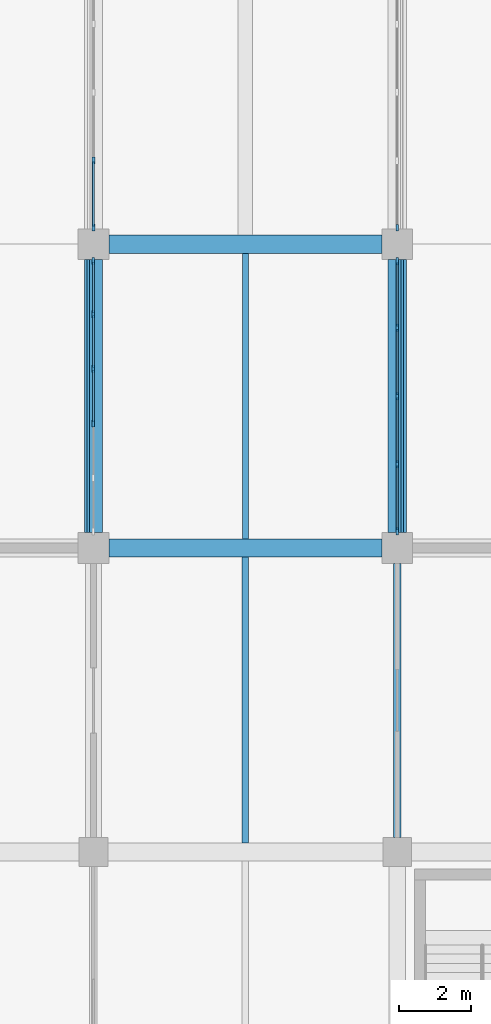
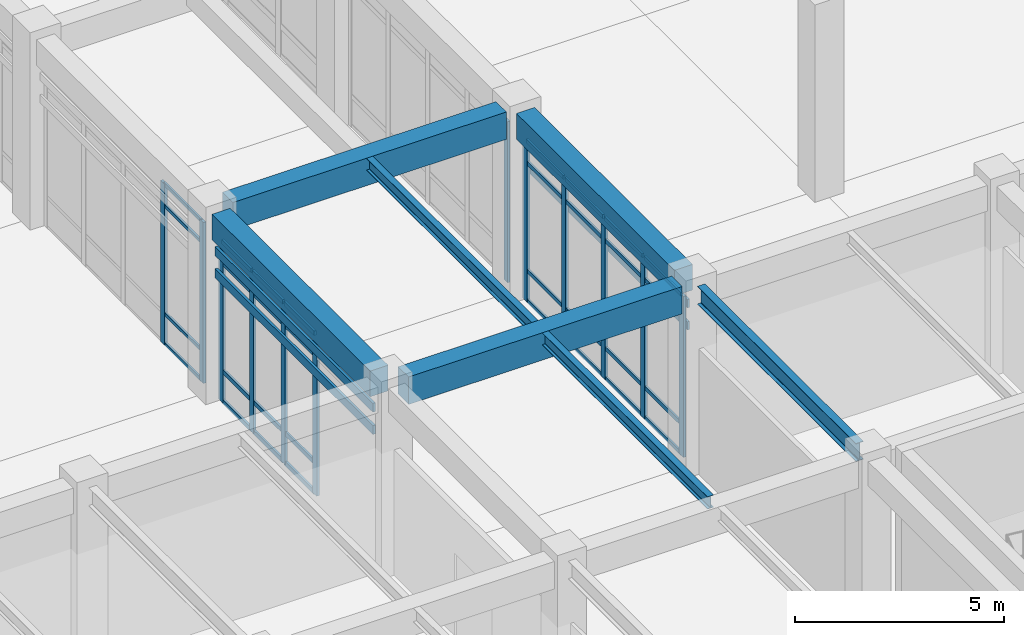
# One storey, part 16 of 91: 48 members, 7 beams, 4 elements without a shape of their own.
"""IFC4 building model written with IfcOpenShell, lengths in metres."""

from ifc_helpers import new_model, si_unit, direction, frame, origin, origin_2d, place, context, subcontext, project, spatial, rectangle, i_section, extrude, material, layer, layer_set, material_profile, profile_set, type_object, element, aggregate, save


model = new_model("IFC4")

# Units and contexts
model_context = context("Model", 3, precision=1e-05, world=origin(), true_north=direction((0.0, 1.0)))
body_context = subcontext(model_context, "Body", "Model", "MODEL_VIEW")
ifc_project = project(units=[si_unit("LENGTHUNIT", "METRE"), si_unit("AREAUNIT", "SQUARE_METRE"), si_unit("VOLUMEUNIT", "CUBIC_METRE"), si_unit("PLANEANGLEUNIT", "RADIAN"), si_unit("MASSUNIT", "GRAM", prefix="KILO")], contexts=[model_context])

# Site, building, storey
site_placement = place(None, origin())
site = spatial("IfcSite", under=ifc_project, at=site_placement, CompositionType="ELEMENT")
building_placement = place(site_placement, origin())
building = spatial("IfcBuilding", under=site, at=building_placement, Name="Porcellanite Civic Hall", CompositionType="ELEMENT")
storey_placement = place(building_placement, origin())
storey = spatial("IfcBuildingStorey", under=building, at=storey_placement, Name="L00", CompositionType="ELEMENT", Elevation=0.0)

# Beams
ifc_material_1 = material(Name="Concrete N50 (50 MPa)", Category="concrete")
ifc_material_profile_1 = material_profile(ifc_material_1, rectangle(XDim=0.5, YDim=0.75, at=origin_2d()), Name="RC-500x750")
ifc_profile_set_1 = profile_set([ifc_material_profile_1], Name="Concrete N50 (50 MPa)")
beam_type_1 = type_object("IfcBeamType", Name="BM-RC750", PredefinedType="SPANDREL", material=ifc_profile_set_1)
for number, where, z_axis, x_axis, name in (
    (1, (50.39990234375, 67.62451171875, 5.125), (0.0, 1.0, 0.0), (-1.0, 0.0, 0.0), "Beam Y L00 7-9"),
    (2, (58.800048828125, 67.62451171875, 5.125), (0.0, 1.0, 0.0), (-1.0, 0.0, 0.0), "Beam Y L00 8-9"),
):
    element("IfcBeam", number, at=place(storey_placement, frame(where, z_axis=z_axis, x_axis=x_axis)), inside=storey, type_object=beam_type_1, Name=name, PredefinedType="SPANDREL", context=body_context, shape_type="SweptSolid", body=[
        extrude(rectangle(XDim=0.5, YDim=0.75, at=origin_2d()), origin(), (0.0, 0.0, 1.0), 7.551025390625),
    ])
ifc_material_2 = material(Name="Concrete N50 (50 MPa)", Category="concrete")
ifc_material_profile_2 = material_profile(ifc_material_2, rectangle(XDim=0.5, YDim=0.800048828125, at=origin_2d()), Name="RC-500x800")
ifc_profile_set_2 = profile_set([ifc_material_profile_2], Name="Concrete N50 (50 MPa)")
beam_type_2 = type_object("IfcBeamType", Name="BM-RC800", PredefinedType="BEAM", material=ifc_profile_set_2)
for number, where, z_axis, x_axis, name in (
    (3, (50.824462890625, 67.199951171875, 5.10009765625), (1.0, 0.0, 0.0), (0.0, 1.0, 0.0), "Beam X L00 7-9"),
    (4, (50.824462890625, 75.60009765625, 5.10009765625), (1.0, 0.0, 0.0), (0.0, 1.0, 0.0), "Beam X L00 7-10"),
):
    element("IfcBeam", number, at=place(storey_placement, frame(where, z_axis=z_axis, x_axis=x_axis)), inside=storey, type_object=beam_type_2, Name=name, PredefinedType="BEAM", context=body_context, shape_type="SweptSolid", body=[
        extrude(rectangle(XDim=0.5, YDim=0.800048828125, at=origin_2d()), origin(), (0.0, 0.0, 1.0), 7.551025390625),
    ])

# Curtain wall, members
ifc_material_3 = material(Name="Anodised aluminium and solar laminated glass", Category="aluminium")
ifc_layer_1 = layer(ifc_material_3, 0.179931640625)
ifc_layer_set_1 = layer_set([ifc_layer_1], Name="Anodised aluminium and solar laminated glass")
curtain_wall_type_1 = type_object("IfcCurtainWallType", Name="CW-SYS03", PredefinedType="NOTDEFINED", material=ifc_layer_set_1)
curtain_wall_1_placement = place(storey_placement, origin())
curtain_wall_1 = element("IfcCurtainWall", 5, at=curtain_wall_1_placement, inside=storey, type_object=curtain_wall_type_1, Name="Curtain wall CW-018", PredefinedType="NOTDEFINED")
ifc_material_4 = material(Name="Anodised aluminium 6063-T6", Category="aluminium")
ifc_material_profile_3 = material_profile(ifc_material_4, rectangle(XDim=0.080078125, YDim=0.2099609375, at=origin_2d()), Name="AL-80x210")
ifc_profile_set_3 = profile_set([ifc_material_profile_3], Name="Anodised aluminium 6063-T6")
member_type_1 = type_object("IfcMemberType", Name="CWM-02", PredefinedType="MULLION", material=ifc_profile_set_3)
member_1_placement = place(storey_placement, frame((58.800048828125, 75.134033203125, 0.0), z_axis=(0.0, 0.0, 1.0), x_axis=(1.0, 0.0, 0.0)))
member_1 = element("IfcMember", 6, at=member_1_placement, type_object=member_type_1, Name="CW-018 mullion 1", PredefinedType="MULLION", context=body_context, shape_type="SweptSolid", body=[
    extrude(rectangle(XDim=0.080078125, YDim=0.2099609375, at=origin_2d()), origin(), (0.0, 0.0, 1.0), 4.699951171875),
])
member_2_placement = place(storey_placement, frame((58.800048828125, 73.287109375, 0.0), z_axis=(0.0, 0.0, 1.0), x_axis=(1.0, 0.0, 0.0)))
member_2 = element("IfcMember", 7, at=member_2_placement, type_object=member_type_1, Name="CW-018 mullion 2", PredefinedType="MULLION", context=body_context, shape_type="SweptSolid", body=[
    extrude(rectangle(XDim=0.080078125, YDim=0.2099609375, at=origin_2d()), origin(), (0.0, 0.0, 1.0), 4.699951171875),
])
member_3_placement = place(storey_placement, frame((58.800048828125, 71.39990234375, 0.0), z_axis=(0.0, 0.0, 1.0), x_axis=(1.0, 0.0, 0.0)))
member_3 = element("IfcMember", 8, at=member_3_placement, type_object=member_type_1, Name="CW-018 mullion 3", PredefinedType="MULLION", context=body_context, shape_type="SweptSolid", body=[
    extrude(rectangle(XDim=0.080078125, YDim=0.2099609375, at=origin_2d()), origin(), (0.0, 0.0, 1.0), 4.699951171875),
])
member_4_placement = place(storey_placement, frame((58.800048828125, 69.512939453125, 0.0), z_axis=(0.0, 0.0, 1.0), x_axis=(1.0, 0.0, 0.0)))
member_4 = element("IfcMember", 9, at=member_4_placement, type_object=member_type_1, Name="CW-018 mullion 4", PredefinedType="MULLION", context=body_context, shape_type="SweptSolid", body=[
    extrude(rectangle(XDim=0.080078125, YDim=0.2099609375, at=origin_2d()), origin(), (0.0, 0.0, 1.0), 4.699951171875),
])
member_5_placement = place(storey_placement, frame((58.800048828125, 67.666015625, 0.0), z_axis=(0.0, 0.0, 1.0), x_axis=(1.0, 0.0, 0.0)))
member_5 = element("IfcMember", 10, at=member_5_placement, type_object=member_type_1, Name="CW-018 mullion 5", PredefinedType="MULLION", context=body_context, shape_type="SweptSolid", body=[
    extrude(rectangle(XDim=0.080078125, YDim=0.2099609375, at=origin_2d()), origin(), (0.0, 0.0, 1.0), 4.699951171875),
])

ifc_material_5 = material(Name="Anodised aluminium and solar laminated glass", Category="aluminium")
ifc_layer_2 = layer(ifc_material_5, 0.179931640625)
ifc_layer_set_2 = layer_set([ifc_layer_2], Name="Anodised aluminium and solar laminated glass")
curtain_wall_type_2 = type_object("IfcCurtainWallType", Name="CW-SYS04", PredefinedType="NOTDEFINED", material=ifc_layer_set_2)
curtain_wall_2_placement = place(storey_placement, origin())
curtain_wall_2 = element("IfcCurtainWall", 11, at=curtain_wall_2_placement, inside=storey, type_object=curtain_wall_type_2, Name="Curtain wall CW-019", PredefinedType="NOTDEFINED")
ifc_material_6 = material(Name="Anodised aluminium 6063-T6", Category="aluminium")
ifc_material_profile_4 = material_profile(ifc_material_6, rectangle(XDim=0.074951171875, YDim=0.18994140625, at=origin_2d()), Name="AL-75x190")
ifc_profile_set_4 = profile_set([ifc_material_profile_4], Name="Anodised aluminium 6063-T6")
member_type_2 = type_object("IfcMemberType", Name="CWM-04", PredefinedType="MULLION", material=ifc_profile_set_4)
member_6_placement = place(storey_placement, frame((50.39990234375, 76.0634765625, 0.0), z_axis=(0.0, 0.0, 1.0), x_axis=(-1.0, 0.0, 0.0)))
member_6 = element("IfcMember", 12, at=member_6_placement, type_object=member_type_2, Name="CW-019 mullion 1", PredefinedType="MULLION", context=body_context, shape_type="SweptSolid", body=[
    extrude(rectangle(XDim=0.074951171875, YDim=0.18994140625, at=origin_2d()), origin(), (0.0, 0.0, 1.0), 4.699951171875),
])
member_7_placement = place(storey_placement, frame((50.39990234375, 77.9130859375, 0.0), z_axis=(0.0, 0.0, 1.0), x_axis=(-1.0, 0.0, 0.0)))
member_7 = element("IfcMember", 13, at=member_7_placement, type_object=member_type_2, Name="CW-019 mullion 2", PredefinedType="MULLION", context=body_context, shape_type="SweptSolid", body=[
    extrude(rectangle(XDim=0.074951171875, YDim=0.18994140625, at=origin_2d()), origin(), (0.0, 0.0, 1.0), 4.699951171875),
])

ifc_material_7 = material(Name="Anodised aluminium and solar laminated glass", Category="aluminium")
ifc_layer_3 = layer(ifc_material_7, 0.179931640625)
ifc_layer_set_3 = layer_set([ifc_layer_3], Name="Anodised aluminium and solar laminated glass")
curtain_wall_type_3 = type_object("IfcCurtainWallType", Name="CW-SYS01", PredefinedType="NOTDEFINED", material=ifc_layer_set_3)
curtain_wall_3_placement = place(storey_placement, origin())
curtain_wall_3 = element("IfcCurtainWall", 14, at=curtain_wall_3_placement, inside=storey, type_object=curtain_wall_type_3, Name="Curtain wall CW-017", PredefinedType="NOTDEFINED")
ifc_material_8 = material(Name="Anodised aluminium 6063-T6", Category="aluminium")
ifc_material_profile_5 = material_profile(ifc_material_8, rectangle(XDim=0.070068359375, YDim=0.199951171875, at=origin_2d()), Name="AL-70x200")
ifc_profile_set_5 = profile_set([ifc_material_profile_5], Name="Anodised aluminium 6063-T6")
member_type_3 = type_object("IfcMemberType", Name="CWM-05", PredefinedType="MULLION", material=ifc_profile_set_5)
member_8_placement = place(storey_placement, frame((50.39990234375, 70.645263671875, 0.0), z_axis=(0.0, 0.0, 1.0), x_axis=(-1.0, 0.0, 0.0)))
member_8 = element("IfcMember", 15, at=member_8_placement, type_object=member_type_3, Name="CW-017 mullion 3", PredefinedType="MULLION", context=body_context, shape_type="SweptSolid", body=[
    extrude(rectangle(XDim=0.070068359375, YDim=0.199951171875, at=origin_2d()), origin(), (0.0, 0.0, 1.0), 4.699951171875),
])
member_9_placement = place(storey_placement, frame((50.39990234375, 72.15478515625, 0.0), z_axis=(0.0, 0.0, 1.0), x_axis=(-1.0, 0.0, 0.0)))
member_9 = element("IfcMember", 16, at=member_9_placement, type_object=member_type_3, Name="CW-017 mullion 4", PredefinedType="MULLION", context=body_context, shape_type="SweptSolid", body=[
    extrude(rectangle(XDim=0.070068359375, YDim=0.199951171875, at=origin_2d()), origin(), (0.0, 0.0, 1.0), 4.699951171875),
])
member_10_placement = place(storey_placement, frame((50.39990234375, 73.664306640625, 0.0), z_axis=(0.0, 0.0, 1.0), x_axis=(-1.0, 0.0, 0.0)))
member_10 = element("IfcMember", 17, at=member_10_placement, type_object=member_type_3, Name="CW-017 mullion 5", PredefinedType="MULLION", context=body_context, shape_type="SweptSolid", body=[
    extrude(rectangle(XDim=0.070068359375, YDim=0.199951171875, at=origin_2d()), origin(), (0.0, 0.0, 1.0), 4.699951171875),
])
member_11_placement = place(storey_placement, frame((50.39990234375, 75.138916015625, 0.0), z_axis=(0.0, 0.0, 1.0), x_axis=(-1.0, 0.0, 0.0)))
member_11 = element("IfcMember", 18, at=member_11_placement, type_object=member_type_3, Name="CW-017 mullion 6", PredefinedType="MULLION", context=body_context, shape_type="SweptSolid", body=[
    extrude(rectangle(XDim=0.070068359375, YDim=0.199951171875, at=origin_2d()), origin(), (0.0, 0.0, 1.0), 4.699951171875),
])

# Curtain wall, member
ifc_material_9 = material(Name="Anodised aluminium and solar laminated glass", Category="aluminium")
ifc_layer_4 = layer(ifc_material_9, 0.179931640625)
ifc_layer_set_4 = layer_set([ifc_layer_4], Name="Anodised aluminium and solar laminated glass")
curtain_wall_type_4 = type_object("IfcCurtainWallType", Name="CW-SYS06", PredefinedType="NOTDEFINED", material=ifc_layer_set_4)
curtain_wall_4_placement = place(storey_placement, origin())
curtain_wall_4 = element("IfcCurtainWall", 19, at=curtain_wall_4_placement, inside=storey, type_object=curtain_wall_type_4, Name="Curtain wall CW-020", PredefinedType="NOTDEFINED")
ifc_material_10 = material(Name="Anodised aluminium 6063-T6", Category="aluminium")
ifc_material_profile_6 = material_profile(ifc_material_10, rectangle(XDim=0.06494140625, YDim=0.179931640625, at=origin_2d()), Name="AL-65x180")
ifc_profile_set_6 = profile_set([ifc_material_profile_6], Name="Anodised aluminium 6063-T6")
member_type_4 = type_object("IfcMemberType", Name="CWM-06", PredefinedType="MULLION", material=ifc_profile_set_6)
member_12_placement = place(storey_placement, frame((58.800048828125, 76.05859375, 0.0), z_axis=(0.0, 0.0, 1.0), x_axis=(1.0, 0.0, 0.0)))
member_12 = element("IfcMember", 20, at=member_12_placement, type_object=member_type_4, Name="CW-020 mullion 5", PredefinedType="MULLION", context=body_context, shape_type="SweptSolid", body=[
    extrude(rectangle(XDim=0.06494140625, YDim=0.179931640625, at=origin_2d()), origin(), (0.0, 0.0, 1.0), 4.699951171875),
])
aggregate(curtain_wall_4, [member_12])

# Member
ifc_material_11 = material(Name="Anodised aluminium 6063-T6", Category="aluminium")
ifc_material_profile_7 = material_profile(ifc_material_11, rectangle(XDim=0.06005859375, YDim=0.1298828125, at=origin_2d()), Name="AL-60x130")
ifc_profile_set_7 = profile_set([ifc_material_profile_7], Name="Anodised aluminium 6063-T6")
member_type_5 = type_object("IfcMemberType", Name="CWT-03", PredefinedType="USERDEFINED", material=ifc_profile_set_7)
member_13_placement = place(storey_placement, frame((50.39990234375, 70.68017578125, 0.030029296875), z_axis=(0.0, 1.0, 0.0), x_axis=(-1.0, 0.0, 0.0)))
member_13 = element("IfcMember", 21, at=member_13_placement, type_object=member_type_5, Name="CW-017 transom 3.1", ObjectType="TRANSOM", PredefinedType="USERDEFINED", context=body_context, shape_type="SweptSolid", body=[
    extrude(rectangle(XDim=0.06005859375, YDim=0.1298828125, at=origin_2d()), origin(), (0.0, 0.0, 1.0), 1.439697265625),
])

member_14_placement = place(storey_placement, frame((50.39990234375, 70.68017578125, 0.89990234375), z_axis=(0.0, 1.0, 0.0), x_axis=(-1.0, 0.0, 0.0)))
member_14 = element("IfcMember", 22, at=member_14_placement, type_object=member_type_5, Name="CW-017 transom 3.2", ObjectType="TRANSOM", PredefinedType="USERDEFINED", context=body_context, shape_type="SweptSolid", body=[
    extrude(rectangle(XDim=0.06005859375, YDim=0.1298828125, at=origin_2d()), origin(), (0.0, 0.0, 1.0), 1.439697265625),
])

member_15_placement = place(storey_placement, frame((50.39990234375, 70.68017578125, 4.050048828125), z_axis=(0.0, 1.0, 0.0), x_axis=(-1.0, 0.0, 0.0)))
member_15 = element("IfcMember", 23, at=member_15_placement, type_object=member_type_5, Name="CW-017 transom 3.3", ObjectType="TRANSOM", PredefinedType="USERDEFINED", context=body_context, shape_type="SweptSolid", body=[
    extrude(rectangle(XDim=0.06005859375, YDim=0.1298828125, at=origin_2d()), origin(), (0.0, 0.0, 1.0), 1.439697265625),
])

member_16_placement = place(storey_placement, frame((50.39990234375, 70.68017578125, 4.669921875), z_axis=(0.0, 1.0, 0.0), x_axis=(-1.0, 0.0, 0.0)))
member_16 = element("IfcMember", 24, at=member_16_placement, type_object=member_type_5, Name="CW-017 transom 3.4", ObjectType="TRANSOM", PredefinedType="USERDEFINED", context=body_context, shape_type="SweptSolid", body=[
    extrude(rectangle(XDim=0.06005859375, YDim=0.1298828125, at=origin_2d()), origin(), (0.0, 0.0, 1.0), 1.439697265625),
])

member_17_placement = place(storey_placement, frame((50.39990234375, 72.189697265625, 0.030029296875), z_axis=(0.0, 1.0, 0.0), x_axis=(-1.0, 0.0, 0.0)))
member_17 = element("IfcMember", 25, at=member_17_placement, type_object=member_type_5, Name="CW-017 transom 4.1", ObjectType="TRANSOM", PredefinedType="USERDEFINED", context=body_context, shape_type="SweptSolid", body=[
    extrude(rectangle(XDim=0.06005859375, YDim=0.1298828125, at=origin_2d()), origin(), (0.0, 0.0, 1.0), 1.439697265625),
])

member_18_placement = place(storey_placement, frame((50.39990234375, 72.189697265625, 0.89990234375), z_axis=(0.0, 1.0, 0.0), x_axis=(-1.0, 0.0, 0.0)))
member_18 = element("IfcMember", 26, at=member_18_placement, type_object=member_type_5, Name="CW-017 transom 4.2", ObjectType="TRANSOM", PredefinedType="USERDEFINED", context=body_context, shape_type="SweptSolid", body=[
    extrude(rectangle(XDim=0.06005859375, YDim=0.1298828125, at=origin_2d()), origin(), (0.0, 0.0, 1.0), 1.439697265625),
])

member_19_placement = place(storey_placement, frame((50.39990234375, 72.189697265625, 4.050048828125), z_axis=(0.0, 1.0, 0.0), x_axis=(-1.0, 0.0, 0.0)))
member_19 = element("IfcMember", 27, at=member_19_placement, type_object=member_type_5, Name="CW-017 transom 4.3", ObjectType="TRANSOM", PredefinedType="USERDEFINED", context=body_context, shape_type="SweptSolid", body=[
    extrude(rectangle(XDim=0.06005859375, YDim=0.1298828125, at=origin_2d()), origin(), (0.0, 0.0, 1.0), 1.439697265625),
])

member_20_placement = place(storey_placement, frame((50.39990234375, 72.189697265625, 4.669921875), z_axis=(0.0, 1.0, 0.0), x_axis=(-1.0, 0.0, 0.0)))
member_20 = element("IfcMember", 28, at=member_20_placement, type_object=member_type_5, Name="CW-017 transom 4.4", ObjectType="TRANSOM", PredefinedType="USERDEFINED", context=body_context, shape_type="SweptSolid", body=[
    extrude(rectangle(XDim=0.06005859375, YDim=0.1298828125, at=origin_2d()), origin(), (0.0, 0.0, 1.0), 1.439697265625),
])

member_21_placement = place(storey_placement, frame((50.39990234375, 73.699462890625, 0.030029296875), z_axis=(0.0, 1.0, 0.0), x_axis=(-1.0, 0.0, 0.0)))
member_21 = element("IfcMember", 29, at=member_21_placement, type_object=member_type_5, Name="CW-017 transom 5.1", ObjectType="TRANSOM", PredefinedType="USERDEFINED", context=body_context, shape_type="SweptSolid", body=[
    extrude(rectangle(XDim=0.06005859375, YDim=0.1298828125, at=origin_2d()), origin(), (0.0, 0.0, 1.0), 1.404541015625),
])

member_22_placement = place(storey_placement, frame((50.39990234375, 73.699462890625, 0.89990234375), z_axis=(0.0, 1.0, 0.0), x_axis=(-1.0, 0.0, 0.0)))
member_22 = element("IfcMember", 30, at=member_22_placement, type_object=member_type_5, Name="CW-017 transom 5.2", ObjectType="TRANSOM", PredefinedType="USERDEFINED", context=body_context, shape_type="SweptSolid", body=[
    extrude(rectangle(XDim=0.06005859375, YDim=0.1298828125, at=origin_2d()), origin(), (0.0, 0.0, 1.0), 1.404541015625),
])

member_23_placement = place(storey_placement, frame((50.39990234375, 73.699462890625, 4.050048828125), z_axis=(0.0, 1.0, 0.0), x_axis=(-1.0, 0.0, 0.0)))
member_23 = element("IfcMember", 31, at=member_23_placement, type_object=member_type_5, Name="CW-017 transom 5.3", ObjectType="TRANSOM", PredefinedType="USERDEFINED", context=body_context, shape_type="SweptSolid", body=[
    extrude(rectangle(XDim=0.06005859375, YDim=0.1298828125, at=origin_2d()), origin(), (0.0, 0.0, 1.0), 1.404541015625),
])

member_24_placement = place(storey_placement, frame((50.39990234375, 73.699462890625, 4.669921875), z_axis=(0.0, 1.0, 0.0), x_axis=(-1.0, 0.0, 0.0)))
member_24 = element("IfcMember", 32, at=member_24_placement, type_object=member_type_5, Name="CW-017 transom 5.4", ObjectType="TRANSOM", PredefinedType="USERDEFINED", context=body_context, shape_type="SweptSolid", body=[
    extrude(rectangle(XDim=0.06005859375, YDim=0.1298828125, at=origin_2d()), origin(), (0.0, 0.0, 1.0), 1.404541015625),
])

aggregate(curtain_wall_3, [member_8, member_9, member_10, member_11, member_13, member_14, member_15, member_16, member_17, member_18, member_19, member_20, member_21, member_22, member_23, member_24])

ifc_material_12 = material(Name="Anodised aluminium 6063-T6", Category="aluminium")
ifc_material_profile_8 = material_profile(ifc_material_12, rectangle(XDim=0.054931640625, YDim=0.1201171875, at=origin_2d()), Name="AL-55x120")
ifc_profile_set_8 = profile_set([ifc_material_profile_8], Name="Anodised aluminium 6063-T6")
member_type_6 = type_object("IfcMemberType", Name="CWT-04", PredefinedType="USERDEFINED", material=ifc_profile_set_8)
member_25_placement = place(storey_placement, frame((58.800048828125, 75.093994140625, 0.027587890625), z_axis=(0.0, -1.0, 0.0), x_axis=(1.0, 0.0, 0.0)))
member_25 = element("IfcMember", 33, at=member_25_placement, type_object=member_type_6, Name="CW-018 transom 1.1", ObjectType="TRANSOM", PredefinedType="USERDEFINED", context=body_context, shape_type="SweptSolid", body=[
    extrude(rectangle(XDim=0.054931640625, YDim=0.1201171875, at=origin_2d()), origin(), (0.0, 0.0, 1.0), 1.76708984375),
])

member_26_placement = place(storey_placement, frame((58.800048828125, 75.093994140625, 0.89990234375), z_axis=(0.0, -1.0, 0.0), x_axis=(1.0, 0.0, 0.0)))
member_26 = element("IfcMember", 34, at=member_26_placement, type_object=member_type_6, Name="CW-018 transom 1.2", ObjectType="TRANSOM", PredefinedType="USERDEFINED", context=body_context, shape_type="SweptSolid", body=[
    extrude(rectangle(XDim=0.054931640625, YDim=0.1201171875, at=origin_2d()), origin(), (0.0, 0.0, 1.0), 1.76708984375),
])

member_27_placement = place(storey_placement, frame((58.800048828125, 75.093994140625, 4.050048828125), z_axis=(0.0, -1.0, 0.0), x_axis=(1.0, 0.0, 0.0)))
member_27 = element("IfcMember", 35, at=member_27_placement, type_object=member_type_6, Name="CW-018 transom 1.3", ObjectType="TRANSOM", PredefinedType="USERDEFINED", context=body_context, shape_type="SweptSolid", body=[
    extrude(rectangle(XDim=0.054931640625, YDim=0.1201171875, at=origin_2d()), origin(), (0.0, 0.0, 1.0), 1.76708984375),
])

member_28_placement = place(storey_placement, frame((58.800048828125, 75.093994140625, 4.672607421875), z_axis=(0.0, -1.0, 0.0), x_axis=(1.0, 0.0, 0.0)))
member_28 = element("IfcMember", 36, at=member_28_placement, type_object=member_type_6, Name="CW-018 transom 1.4", ObjectType="TRANSOM", PredefinedType="USERDEFINED", context=body_context, shape_type="SweptSolid", body=[
    extrude(rectangle(XDim=0.054931640625, YDim=0.1201171875, at=origin_2d()), origin(), (0.0, 0.0, 1.0), 1.76708984375),
])

member_29_placement = place(storey_placement, frame((58.800048828125, 73.2470703125, 0.027587890625), z_axis=(0.0, -1.0, 0.0), x_axis=(1.0, 0.0, 0.0)))
member_29 = element("IfcMember", 37, at=member_29_placement, type_object=member_type_6, Name="CW-018 transom 2.1", ObjectType="TRANSOM", PredefinedType="USERDEFINED", context=body_context, shape_type="SweptSolid", body=[
    extrude(rectangle(XDim=0.054931640625, YDim=0.1201171875, at=origin_2d()), origin(), (0.0, 0.0, 1.0), 1.80712890625),
])

member_30_placement = place(storey_placement, frame((58.800048828125, 73.2470703125, 0.89990234375), z_axis=(0.0, -1.0, 0.0), x_axis=(1.0, 0.0, 0.0)))
member_30 = element("IfcMember", 38, at=member_30_placement, type_object=member_type_6, Name="CW-018 transom 2.2", ObjectType="TRANSOM", PredefinedType="USERDEFINED", context=body_context, shape_type="SweptSolid", body=[
    extrude(rectangle(XDim=0.054931640625, YDim=0.1201171875, at=origin_2d()), origin(), (0.0, 0.0, 1.0), 1.80712890625),
])

member_31_placement = place(storey_placement, frame((58.800048828125, 73.2470703125, 4.050048828125), z_axis=(0.0, -1.0, 0.0), x_axis=(1.0, 0.0, 0.0)))
member_31 = element("IfcMember", 39, at=member_31_placement, type_object=member_type_6, Name="CW-018 transom 2.3", ObjectType="TRANSOM", PredefinedType="USERDEFINED", context=body_context, shape_type="SweptSolid", body=[
    extrude(rectangle(XDim=0.054931640625, YDim=0.1201171875, at=origin_2d()), origin(), (0.0, 0.0, 1.0), 1.80712890625),
])

member_32_placement = place(storey_placement, frame((58.800048828125, 73.2470703125, 4.672607421875), z_axis=(0.0, -1.0, 0.0), x_axis=(1.0, 0.0, 0.0)))
member_32 = element("IfcMember", 40, at=member_32_placement, type_object=member_type_6, Name="CW-018 transom 2.4", ObjectType="TRANSOM", PredefinedType="USERDEFINED", context=body_context, shape_type="SweptSolid", body=[
    extrude(rectangle(XDim=0.054931640625, YDim=0.1201171875, at=origin_2d()), origin(), (0.0, 0.0, 1.0), 1.80712890625),
])

member_33_placement = place(storey_placement, frame((58.800048828125, 71.360107421875, 0.027587890625), z_axis=(0.0, -1.0, 0.0), x_axis=(1.0, 0.0, 0.0)))
member_33 = element("IfcMember", 41, at=member_33_placement, type_object=member_type_6, Name="CW-018 transom 3.1", ObjectType="TRANSOM", PredefinedType="USERDEFINED", context=body_context, shape_type="SweptSolid", body=[
    extrude(rectangle(XDim=0.054931640625, YDim=0.1201171875, at=origin_2d()), origin(), (0.0, 0.0, 1.0), 1.80712890625),
])

member_34_placement = place(storey_placement, frame((58.800048828125, 71.360107421875, 0.89990234375), z_axis=(0.0, -1.0, 0.0), x_axis=(1.0, 0.0, 0.0)))
member_34 = element("IfcMember", 42, at=member_34_placement, type_object=member_type_6, Name="CW-018 transom 3.2", ObjectType="TRANSOM", PredefinedType="USERDEFINED", context=body_context, shape_type="SweptSolid", body=[
    extrude(rectangle(XDim=0.054931640625, YDim=0.1201171875, at=origin_2d()), origin(), (0.0, 0.0, 1.0), 1.80712890625),
])

member_35_placement = place(storey_placement, frame((58.800048828125, 71.360107421875, 4.050048828125), z_axis=(0.0, -1.0, 0.0), x_axis=(1.0, 0.0, 0.0)))
member_35 = element("IfcMember", 43, at=member_35_placement, type_object=member_type_6, Name="CW-018 transom 3.3", ObjectType="TRANSOM", PredefinedType="USERDEFINED", context=body_context, shape_type="SweptSolid", body=[
    extrude(rectangle(XDim=0.054931640625, YDim=0.1201171875, at=origin_2d()), origin(), (0.0, 0.0, 1.0), 1.80712890625),
])

member_36_placement = place(storey_placement, frame((58.800048828125, 71.360107421875, 4.672607421875), z_axis=(0.0, -1.0, 0.0), x_axis=(1.0, 0.0, 0.0)))
member_36 = element("IfcMember", 44, at=member_36_placement, type_object=member_type_6, Name="CW-018 transom 3.4", ObjectType="TRANSOM", PredefinedType="USERDEFINED", context=body_context, shape_type="SweptSolid", body=[
    extrude(rectangle(XDim=0.054931640625, YDim=0.1201171875, at=origin_2d()), origin(), (0.0, 0.0, 1.0), 1.80712890625),
])

member_37_placement = place(storey_placement, frame((58.800048828125, 69.472900390625, 0.027587890625), z_axis=(0.0, -1.0, 0.0), x_axis=(1.0, 0.0, 0.0)))
member_37 = element("IfcMember", 45, at=member_37_placement, type_object=member_type_6, Name="CW-018 transom 4.1", ObjectType="TRANSOM", PredefinedType="USERDEFINED", context=body_context, shape_type="SweptSolid", body=[
    extrude(rectangle(XDim=0.054931640625, YDim=0.1201171875, at=origin_2d()), origin(), (0.0, 0.0, 1.0), 1.766845703125),
])

member_38_placement = place(storey_placement, frame((58.800048828125, 69.472900390625, 0.89990234375), z_axis=(0.0, -1.0, 0.0), x_axis=(1.0, 0.0, 0.0)))
member_38 = element("IfcMember", 46, at=member_38_placement, type_object=member_type_6, Name="CW-018 transom 4.2", ObjectType="TRANSOM", PredefinedType="USERDEFINED", context=body_context, shape_type="SweptSolid", body=[
    extrude(rectangle(XDim=0.054931640625, YDim=0.1201171875, at=origin_2d()), origin(), (0.0, 0.0, 1.0), 1.766845703125),
])

member_39_placement = place(storey_placement, frame((58.800048828125, 69.472900390625, 4.050048828125), z_axis=(0.0, -1.0, 0.0), x_axis=(1.0, 0.0, 0.0)))
member_39 = element("IfcMember", 47, at=member_39_placement, type_object=member_type_6, Name="CW-018 transom 4.3", ObjectType="TRANSOM", PredefinedType="USERDEFINED", context=body_context, shape_type="SweptSolid", body=[
    extrude(rectangle(XDim=0.054931640625, YDim=0.1201171875, at=origin_2d()), origin(), (0.0, 0.0, 1.0), 1.766845703125),
])

member_40_placement = place(storey_placement, frame((58.800048828125, 69.472900390625, 4.672607421875), z_axis=(0.0, -1.0, 0.0), x_axis=(1.0, 0.0, 0.0)))
member_40 = element("IfcMember", 48, at=member_40_placement, type_object=member_type_6, Name="CW-018 transom 4.4", ObjectType="TRANSOM", PredefinedType="USERDEFINED", context=body_context, shape_type="SweptSolid", body=[
    extrude(rectangle(XDim=0.054931640625, YDim=0.1201171875, at=origin_2d()), origin(), (0.0, 0.0, 1.0), 1.766845703125),
])

aggregate(curtain_wall_1, [member_1, member_2, member_3, member_4, member_5, member_25, member_26, member_27, member_28, member_29, member_30, member_31, member_32, member_33, member_34, member_35, member_36, member_37, member_38, member_39, member_40])

ifc_material_13 = material(Name="Anodised aluminium 6063-T6", Category="aluminium")
ifc_material_profile_9 = material_profile(ifc_material_13, rectangle(XDim=0.054931640625, YDim=0.10009765625, at=origin_2d()), Name="AL-55x100")
ifc_profile_set_9 = profile_set([ifc_material_profile_9], Name="Anodised aluminium 6063-T6")
member_type_7 = type_object("IfcMemberType", Name="CWT-05", PredefinedType="USERDEFINED", material=ifc_profile_set_9)
member_41_placement = place(storey_placement, frame((50.39990234375, 76.10107421875, 0.027587890625), z_axis=(0.0, 1.0, 0.0), x_axis=(-1.0, 0.0, 0.0)))
member_41 = element("IfcMember", 49, at=member_41_placement, type_object=member_type_7, Name="CW-019 transom 1.1", ObjectType="TRANSOM", PredefinedType="USERDEFINED", context=body_context, shape_type="SweptSolid", body=[
    extrude(rectangle(XDim=0.054931640625, YDim=0.10009765625, at=origin_2d()), origin(), (0.0, 0.0, 1.0), 1.7744140625),
])

member_42_placement = place(storey_placement, frame((50.39990234375, 76.10107421875, 0.89990234375), z_axis=(0.0, 1.0, 0.0), x_axis=(-1.0, 0.0, 0.0)))
member_42 = element("IfcMember", 50, at=member_42_placement, type_object=member_type_7, Name="CW-019 transom 1.2", ObjectType="TRANSOM", PredefinedType="USERDEFINED", context=body_context, shape_type="SweptSolid", body=[
    extrude(rectangle(XDim=0.054931640625, YDim=0.10009765625, at=origin_2d()), origin(), (0.0, 0.0, 1.0), 1.7744140625),
])

member_43_placement = place(storey_placement, frame((50.39990234375, 76.10107421875, 4.050048828125), z_axis=(0.0, 1.0, 0.0), x_axis=(-1.0, 0.0, 0.0)))
member_43 = element("IfcMember", 51, at=member_43_placement, type_object=member_type_7, Name="CW-019 transom 1.3", ObjectType="TRANSOM", PredefinedType="USERDEFINED", context=body_context, shape_type="SweptSolid", body=[
    extrude(rectangle(XDim=0.054931640625, YDim=0.10009765625, at=origin_2d()), origin(), (0.0, 0.0, 1.0), 1.7744140625),
])

member_44_placement = place(storey_placement, frame((50.39990234375, 76.10107421875, 4.672607421875), z_axis=(0.0, 1.0, 0.0), x_axis=(-1.0, 0.0, 0.0)))
member_44 = element("IfcMember", 52, at=member_44_placement, type_object=member_type_7, Name="CW-019 transom 1.4", ObjectType="TRANSOM", PredefinedType="USERDEFINED", context=body_context, shape_type="SweptSolid", body=[
    extrude(rectangle(XDim=0.054931640625, YDim=0.10009765625, at=origin_2d()), origin(), (0.0, 0.0, 1.0), 1.7744140625),
])

aggregate(curtain_wall_2, [member_6, member_7, member_41, member_42, member_43, member_44])

# Beams
ifc_material_14 = material(Name="Steel Grade 350", Category="steel")
ifc_material_profile_10 = material_profile(ifc_material_14, i_section(OverallWidth=0.1708984375, OverallDepth=0.35595703125, WebThickness=0.00732421875, FlangeThickness=0.011474609375, FilletRadius=0.011474609375, at=origin_2d()), Name="360UB50.7")
ifc_profile_set_10 = profile_set([ifc_material_profile_10], Name="Steel Grade 350")
beam_type_3 = type_object("IfcBeamType", Name="JST-360UB51", PredefinedType="JOIST", material=ifc_profile_set_10)
beam_1_placement = place(storey_placement, frame((54.60009765625, 67.449462890625, 5.322021484375), z_axis=(0.0, 1.0, 0.0), x_axis=(-1.0, 0.0, 0.0)))
element("IfcBeam", 53, at=beam_1_placement, inside=storey, type_object=beam_type_3, Name="Secondary joist L00 7-9", PredefinedType="JOIST", context=body_context, shape_type="SweptSolid", body=[
    extrude(i_section(OverallWidth=0.1708984375, OverallDepth=0.35595703125, WebThickness=0.00732421875, FlangeThickness=0.011474609375, FilletRadius=0.011474609375, at=origin_2d()), origin(), (0.0, 0.0, 1.0), 7.901123046875),
])
ifc_material_15 = material(Name="Steel Grade 350", Category="steel")
ifc_material_profile_11 = material_profile(ifc_material_15, i_section(OverallWidth=0.172119140625, OverallDepth=0.35888671875, WebThickness=0.008056640625, FlangeThickness=0.012939453125, FilletRadius=0.011474609375, at=origin_2d()), Name="360UB56.7")
ifc_profile_set_11 = profile_set([ifc_material_profile_11], Name="Steel Grade 350")
beam_type_4 = type_object("IfcBeamType", Name="JST-360UB57", PredefinedType="JOIST", material=ifc_profile_set_11)
beam_2_placement = place(storey_placement, frame((54.60009765625, 59.049560546875, 5.320556640625), z_axis=(0.0, 1.0, 0.0), x_axis=(-1.0, 0.0, 0.0)))
element("IfcBeam", 54, at=beam_2_placement, inside=storey, type_object=beam_type_4, Name="Secondary joist L00 7-8", PredefinedType="JOIST", context=body_context, shape_type="SweptSolid", body=[
    extrude(i_section(OverallWidth=0.172119140625, OverallDepth=0.35888671875, WebThickness=0.008056640625, FlangeThickness=0.012939453125, FilletRadius=0.011474609375, at=origin_2d()), origin(), (0.0, 0.0, 1.0), 7.90087890625),
])

# Members
ifc_material_16 = material(Name="Fluoropolymer bauxite-red aluminium 6063-T6", Category="aluminium")
ifc_material_profile_12 = material_profile(ifc_material_16, rectangle(XDim=0.070068359375, YDim=0.260009765625, at=origin_2d()), Name="AL-70x260")
ifc_profile_set_12 = profile_set([ifc_material_profile_12], Name="Fluoropolymer bauxite-red aluminium 6063-T6")
member_type_8 = type_object("IfcMemberType", Name="LV-BLD06", PredefinedType="USERDEFINED", material=ifc_profile_set_12)
for number, where, z_axis, x_axis, name in (
    (55, (50.262939453125, 67.62451171875, 4.39990234375), (0.0, 1.0, 0.0), (-1.0, 0.0, 0.0), "Cyclone sunshade louvre L00 W 6-8 1"),
    (56, (50.262939453125, 67.62451171875, 3.75), (0.0, 1.0, 0.0), (-1.0, 0.0, 0.0), "Cyclone sunshade louvre L00 W 6-8 2"),
):
    element("IfcMember", number, at=place(storey_placement, frame(where, z_axis=z_axis, x_axis=x_axis)), inside=storey, type_object=member_type_8, Name=name, ObjectType="LOUVRE BLADE", PredefinedType="USERDEFINED", context=body_context, shape_type="SweptSolid", body=[
        extrude(rectangle(XDim=0.070068359375, YDim=0.260009765625, at=origin_2d()), origin(), (0.0, 0.0, 1.0), 7.551025390625),
    ])
ifc_material_17 = material(Name="Fluoropolymer bauxite-red aluminium 6063-T6", Category="aluminium")
ifc_material_profile_13 = material_profile(ifc_material_17, rectangle(XDim=0.06494140625, YDim=0.239990234375, at=origin_2d()), Name="AL-65x240")
ifc_profile_set_13 = profile_set([ifc_material_profile_13], Name="Fluoropolymer bauxite-red aluminium 6063-T6")
member_type_9 = type_object("IfcMemberType", Name="LV-BLD07", PredefinedType="USERDEFINED", material=ifc_profile_set_13)
for number, where, z_axis, x_axis, name in (
    (57, (58.939453125, 75.175537109375, 4.39990234375), (0.0, -1.0, 0.0), (1.0, 0.0, 0.0), "Cyclone sunshade louvre L00 E 6-8 1"),
    (58, (58.939453125, 75.175537109375, 3.75), (0.0, -1.0, 0.0), (1.0, 0.0, 0.0), "Cyclone sunshade louvre L00 E 6-8 2"),
):
    element("IfcMember", number, at=place(storey_placement, frame(where, z_axis=z_axis, x_axis=x_axis)), inside=storey, type_object=member_type_9, Name=name, ObjectType="LOUVRE BLADE", PredefinedType="USERDEFINED", context=body_context, shape_type="SweptSolid", body=[
        extrude(rectangle(XDim=0.06494140625, YDim=0.239990234375, at=origin_2d()), origin(), (0.0, 0.0, 1.0), 7.551025390625),
    ])

# Beam
ifc_material_18 = material(Name="Steel Grade 350", Category="steel")
ifc_material_profile_14 = material_profile(ifc_material_18, i_section(OverallWidth=0.208984375, OverallDepth=0.528076171875, WebThickness=0.009521484375, FlangeThickness=0.01318359375, FilletRadius=0.013916015625, at=origin_2d()), Name="530UB82.0")
ifc_profile_set_14 = profile_set([ifc_material_profile_14], Name="Steel Grade 350")
beam_type_5 = type_object("IfcBeamType", Name="RAF-530UB82", PredefinedType="BEAM", material=ifc_profile_set_14)
beam_3_placement = place(storey_placement, frame((58.800048828125, 59.199462890625, 5.236083984375), z_axis=(0.0, 1.0, 0.0), x_axis=(-1.0, 0.0, 0.0)))
element("IfcBeam", 59, at=beam_3_placement, inside=storey, type_object=beam_type_5, Name="Beam Y L00 8-8", PredefinedType="BEAM", context=body_context, shape_type="SweptSolid", body=[
    extrude(i_section(OverallWidth=0.208984375, OverallDepth=0.528076171875, WebThickness=0.009521484375, FlangeThickness=0.01318359375, FilletRadius=0.013916015625, at=origin_2d()), origin(), (0.0, 0.0, 1.0), 7.575927734375),
])

save(model, "model.ifc")
